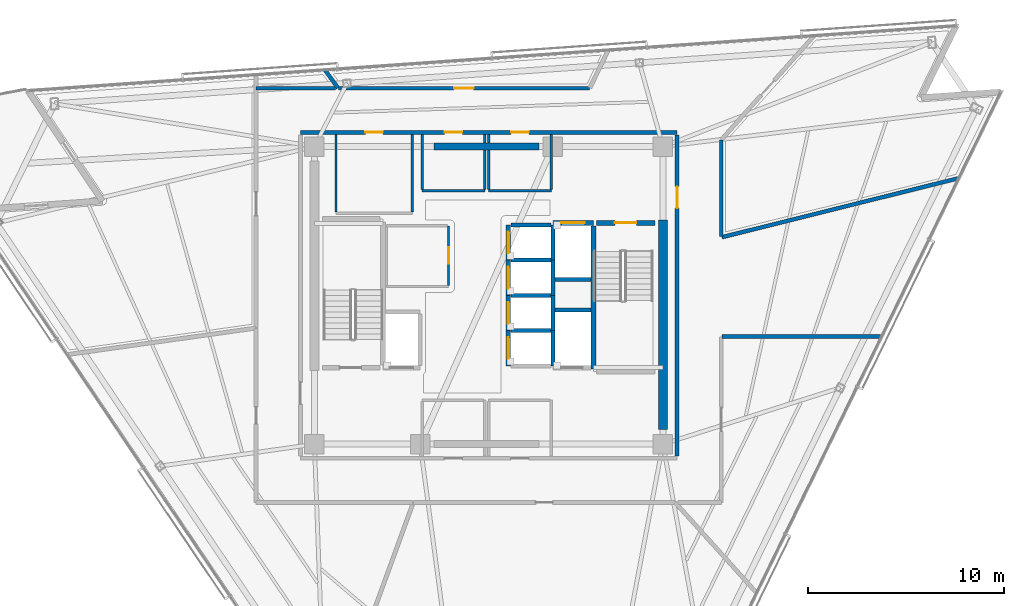
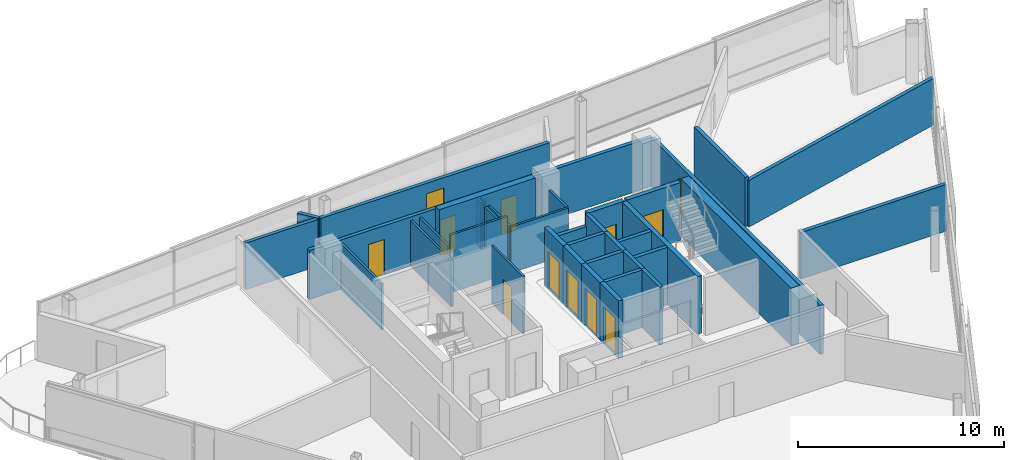
# One storey, part 10 of 16: 38 walls, 12 doors, 12 openings.
"""IFC4 building model written with IfcOpenShell, lengths in metres."""

from ifc_helpers import new_model, si_unit, direction, frame, frame_2d, origin, place, context, subcontext, project, spatial, rectangle, extrude, material, layer, layer_set, type_object, element, fill, save


model = new_model("IFC4")

# Units and contexts
model_context = context("Model", 3, precision=1e-05, world=origin(), true_north=direction((0.0, 1.0)))
body_context = subcontext(model_context, "Body", "Model", "MODEL_VIEW")
ifc_project = project(units=[si_unit("LENGTHUNIT", "METRE"), si_unit("AREAUNIT", "SQUARE_METRE"), si_unit("VOLUMEUNIT", "CUBIC_METRE"), si_unit("PLANEANGLEUNIT", "RADIAN"), si_unit("MASSUNIT", "GRAM", prefix="KILO")], contexts=[model_context])

# Site, building, storey
site_placement = place(None, origin())
site = spatial("IfcSite", under=ifc_project, at=site_placement, CompositionType="ELEMENT")
building_placement = place(site_placement, origin())
building = spatial("IfcBuilding", under=site, at=building_placement, Name="Tharavind Bronze Gate", CompositionType="ELEMENT")
storey_placement = place(building_placement, frame((0.0, 0.0, 257.0)))
storey = spatial("IfcBuildingStorey", under=building, at=storey_placement, Name="L66", CompositionType="ELEMENT", Elevation=257.0)

# Wall, openings, doors
ifc_material_1 = material(Name="Aerated Concrete Block", Category="concrete")
ifc_layer_1 = layer(ifc_material_1, 0.199951171875)
ifc_layer_set_1 = layer_set([ifc_layer_1], Name="Aerated Concrete Block")
wall_type_1 = type_object("IfcWallType", Name="FIRE RATED PARTITION 200", PredefinedType="PARTITIONING", material=ifc_layer_set_1)
wall_1_placement = place(storey_placement, frame((9.6201171875, 8.320068359375, 0.0), z_axis=(0.0, 0.0, 1.0), x_axis=(-1.0, 0.0, 0.0)))
wall_1 = element("IfcWall", 1, at=wall_1_placement, inside=storey, type_object=wall_type_1, Name="L66 north core corridor wall", PredefinedType="PARTITIONING", context=body_context, shape_type="SweptSolid", body=[
    extrude(rectangle(XDim=19.240234375, YDim=0.199951171875, at=frame_2d((9.6201171875, 0.0))), origin(), (0.0, 0.0, 1.0), 2.9150390625),
])
opening_1_placement = place(wall_1_placement, frame((10.969970703125, 0.0, 0.0)))
opening_1 = element("IfcOpeningElement", 2, at=opening_1_placement, cuts=wall_1, Name="Opening ID07", PredefinedType="OPENING", context=body_context, shape_type="SweptSolid", body=[
    extrude(rectangle(XDim=0.89990234375, YDim=2.10009765625, at=frame_2d((0.449951171875, 1.050048828125))), frame((0.0, 0.11009765625, 0.0), z_axis=(0.0, -1.0, 0.0), x_axis=(1.0, 0.0, 0.0)), (0.0, 0.0, 1.0), 0.219951171875),
])
opening_2_placement = place(wall_1_placement, frame((7.570068359375, 0.0, 0.0)))
opening_2 = element("IfcOpeningElement", 3, at=opening_2_placement, cuts=wall_1, Name="Opening ID07", PredefinedType="OPENING", context=body_context, shape_type="SweptSolid", body=[
    extrude(rectangle(XDim=0.89990234375, YDim=2.10009765625, at=frame_2d((0.449951171875, 1.050048828125))), frame((0.0, 0.11009765625, 0.0), z_axis=(0.0, -1.0, 0.0), x_axis=(1.0, 0.0, 0.0)), (0.0, 0.0, 1.0), 0.219951171875),
])
opening_3_placement = place(wall_1_placement, frame((15.02001953125, 0.0, 0.0)))
opening_3 = element("IfcOpeningElement", 4, at=opening_3_placement, cuts=wall_1, Name="Opening ID07", PredefinedType="OPENING", context=body_context, shape_type="SweptSolid", body=[
    extrude(rectangle(XDim=0.89990234375, YDim=2.10009765625, at=frame_2d((0.449951171875, 1.050048828125))), frame((0.0, 0.11009765625, 0.0), z_axis=(0.0, -1.0, 0.0), x_axis=(1.0, 0.0, 0.0)), (0.0, 0.0, 1.0), 0.219951171875),
])
ifc_material_2 = material(Name="Galvanised Fire Steel", Category="steel")
door_type_1 = type_object("IfcDoorType", Name="PLANT AND RISER FIRE DOOR 900X2100", OperationType="SINGLE_SWING_LEFT", PredefinedType="DOOR", material=ifc_material_2)
door_1_placement = place(opening_1_placement, frame((0.89990234375, 0.0, 0.0), z_axis=(0.0, 0.0, 1.0), x_axis=(-1.0, 0.0, 0.0)))
door_1 = element("IfcDoor", 5, at=door_1_placement, inside=storey, type_object=door_type_1, Name="L66 Core Telemetry Room fire door", OperationType="SINGLE_SWING_LEFT", OverallHeight=2.10009765625, OverallWidth=0.89990234375, PredefinedType="DOOR", context=body_context, shape_type="SweptSolid", body=[
    extrude(rectangle(XDim=0.89990234375, YDim=2.10009765625, at=frame_2d((0.449951171875, 1.050048828125))), frame((0.0, 0.02490234375, 0.0), z_axis=(0.0, -1.0, 0.0), x_axis=(1.0, 0.0, 0.0)), (0.0, 0.0, 1.0), 0.050048828125),
])
fill(opening_1, door_1)
door_2_placement = place(opening_2_placement, frame((0.89990234375, 0.0, 0.0), z_axis=(0.0, 0.0, 1.0), x_axis=(-1.0, 0.0, 0.0)))
door_2 = element("IfcDoor", 6, at=door_2_placement, inside=storey, type_object=door_type_1, Name="L66 Core Battery Room fire door", OperationType="SINGLE_SWING_LEFT", OverallHeight=2.10009765625, OverallWidth=0.89990234375, PredefinedType="DOOR", context=body_context, shape_type="SweptSolid", body=[
    extrude(rectangle(XDim=0.89990234375, YDim=2.10009765625, at=frame_2d((0.449951171875, 1.050048828125))), frame((0.0, 0.02490234375, 0.0), z_axis=(0.0, -1.0, 0.0), x_axis=(1.0, 0.0, 0.0)), (0.0, 0.0, 1.0), 0.050048828125),
])
fill(opening_2, door_2)
door_3_placement = place(opening_3_placement, frame((0.89990234375, 0.0, 0.0), z_axis=(0.0, 0.0, 1.0), x_axis=(-1.0, 0.0, 0.0)))
door_3 = element("IfcDoor", 7, at=door_3_placement, inside=storey, type_object=door_type_1, Name="L66 Electrical Switch Room fire door", OperationType="SINGLE_SWING_LEFT", OverallHeight=2.10009765625, OverallWidth=0.89990234375, PredefinedType="DOOR", context=body_context, shape_type="SweptSolid", body=[
    extrude(rectangle(XDim=0.89990234375, YDim=2.10009765625, at=frame_2d((0.449951171875, 1.050048828125))), frame((0.0, 0.02490234375, 0.0), z_axis=(0.0, -1.0, 0.0), x_axis=(1.0, 0.0, 0.0)), (0.0, 0.0, 1.0), 0.050048828125),
])
fill(opening_3, door_3)

# Wall, opening, door
wall_2_placement = place(storey_placement, frame((9.6201171875, -8.199951171875, 0.0), z_axis=(0.0, 0.0, 1.0), x_axis=(0.0, 1.0, 0.0)))
wall_2 = element("IfcWall", 8, at=wall_2_placement, inside=storey, type_object=wall_type_1, Name="L66 east core corridor wall", PredefinedType="PARTITIONING", context=body_context, shape_type="SweptSolid", body=[
    extrude(rectangle(XDim=16.39990234375, YDim=0.199951171875, at=frame_2d((8.199951171875, 0.0))), origin(), (0.0, 0.0, 1.0), 2.9150390625),
])
opening_4_placement = place(wall_2_placement, frame((12.64990234375, 0.0, 0.0)))
opening_4 = element("IfcOpeningElement", 9, at=opening_4_placement, cuts=wall_2, Name="Opening ID01", PredefinedType="OPENING", context=body_context, shape_type="SweptSolid", body=[
    extrude(rectangle(XDim=1.10009765625, YDim=2.14990234375, at=frame_2d((0.550048828125, 1.074951171875))), frame((0.0, 0.11009765625, 0.0), z_axis=(0.0, -1.0, 0.0), x_axis=(1.0, 0.0, 0.0)), (0.0, 0.0, 1.0), 0.219951171875),
])
ifc_material_3 = material(Name="Fire-Rated Steel", Category="steel")
door_type_2 = type_object("IfcDoorType", Name="STAIR CORE FIRE DOOR 1100X2150", OperationType="SINGLE_SWING_LEFT", PredefinedType="DOOR", material=ifc_material_3)
door_4_placement = place(opening_4_placement, frame((1.10009765625, 0.0, 0.0), z_axis=(0.0, 0.0, 1.0), x_axis=(-1.0, 0.0, 0.0)))
door_4 = element("IfcDoor", 10, at=door_4_placement, inside=storey, type_object=door_type_2, Name="L66 north east stair lobby fire door", OperationType="SINGLE_SWING_LEFT", OverallHeight=2.14990234375, OverallWidth=1.10009765625, PredefinedType="DOOR", context=body_context, shape_type="SweptSolid", body=[
    extrude(rectangle(XDim=1.10009765625, YDim=2.14990234375, at=frame_2d((0.550048828125, 1.074951171875))), frame((0.0, 0.02490234375, 0.0), z_axis=(0.0, -1.0, 0.0), x_axis=(1.0, 0.0, 0.0)), (0.0, 0.0, 1.0), 0.050048828125),
])
fill(opening_4, door_4)

# Walls
wall_3_placement = place(storey_placement, frame((23.99658203125, 5.98291015625, 0.0), z_axis=(0.0, 0.0, 1.0), x_axis=(-0.970297953696, -0.24191296173, 0.0)))
element("IfcWall", 11, at=wall_3_placement, inside=storey, type_object=wall_type_1, Name="L66 Global Headquarters Open Office partition", PredefinedType="PARTITIONING", context=body_context, shape_type="SweptSolid", body=[
    extrude(rectangle(XDim=12.45556640625, YDim=0.199951171875, at=frame_2d((6.227783203125, 0.0))), origin(), (0.0, 0.0, 1.0), 2.764892578125),
])
wall_4_placement = place(storey_placement, frame((11.8798828125, 2.993896484375, 0.0), z_axis=(0.0, 0.0, 1.0), x_axis=(0.0, 1.0, 0.0)))
element("IfcWall", 12, at=wall_4_placement, inside=storey, type_object=wall_type_1, Name="L66 Global Headquarters Open Office partition", PredefinedType="PARTITIONING", context=body_context, shape_type="SweptSolid", body=[
    extrude(rectangle(XDim=4.9423828125, YDim=0.199951171875, at=frame_2d((2.47119140625, 0.0))), origin(), (0.0, 0.0, 1.0), 2.9150390625),
])

# Wall, opening, door
wall_5_placement = place(storey_placement, frame((5.14453125, 10.580078125, 0.0), z_axis=(0.0, 0.0, 1.0), x_axis=(-1.0, 0.0, 0.0)))
wall_5 = element("IfcWall", 13, at=wall_5_placement, inside=storey, type_object=wall_type_1, Name="L66 Executive Strategy Office partition", PredefinedType="PARTITIONING", context=body_context, shape_type="SweptSolid", body=[
    extrude(rectangle(XDim=12.818603515625, YDim=0.199951171875, at=frame_2d((6.4091796875, 0.0))), origin(), (0.0, 0.0, 1.0), 2.764892578125),
])
opening_5_placement = place(wall_5_placement, frame((5.908935546875, 0.0, 0.0)))
opening_5 = element("IfcOpeningElement", 14, at=opening_5_placement, cuts=wall_5, Name="Opening ID04", PredefinedType="OPENING", context=body_context, shape_type="SweptSolid", body=[
    extrude(rectangle(XDim=1.0, YDim=2.14990234375, at=frame_2d((0.5, 1.074951171875))), frame((0.0, 0.11009765625, 0.0), z_axis=(0.0, -1.0, 0.0), x_axis=(1.0, 0.0, 0.0)), (0.0, 0.0, 1.0), 0.219951171875),
])
ifc_material_4 = material(Name="Bronze Framed Acoustic Timber", Category="wood")
door_type_3 = type_object("IfcDoorType", Name="OFFICE TENANCY DOOR 1000X2150", OperationType="SINGLE_SWING_RIGHT", PredefinedType="DOOR", material=ifc_material_4)
door_5_placement = place(opening_5_placement, origin())
door_5 = element("IfcDoor", 15, at=door_5_placement, inside=storey, type_object=door_type_3, Name="L66 Executive Strategy Office door", OperationType="SINGLE_SWING_RIGHT", OverallHeight=2.14990234375, OverallWidth=1.0, PredefinedType="DOOR", context=body_context, shape_type="SweptSolid", body=[
    extrude(rectangle(XDim=1.0, YDim=2.14990234375, at=frame_2d((0.5, 1.074951171875))), frame((0.0, 0.02490234375, 0.0), z_axis=(0.0, -1.0, 0.0), x_axis=(1.0, 0.0, 0.0)), (0.0, 0.0, 1.0), 0.050048828125),
])
fill(opening_5, door_5)

# Walls
wall_6_placement = place(storey_placement, frame((-7.6943359375, 10.59033203125, 0.0), z_axis=(0.0, 0.0, 1.0), x_axis=(-0.587825586486, 0.808987688332, 0.0)))
element("IfcWall", 16, at=wall_6_placement, inside=storey, type_object=wall_type_1, Name="L66 Executive Strategy Office partition", PredefinedType="PARTITIONING", context=body_context, shape_type="SweptSolid", body=[
    extrude(rectangle(XDim=1.132568359375, YDim=0.199951171875, at=frame_2d((0.56640625, 0.0))), origin(), (0.0, 0.0, 1.0), 2.764892578125),
])
wall_7_placement = place(storey_placement, frame((-7.816650390625, 10.580078125, 0.0), z_axis=(0.0, 0.0, 1.0), x_axis=(-1.0, 0.0, 0.0)))
element("IfcWall", 17, at=wall_7_placement, inside=storey, type_object=wall_type_1, Name="L66 Board Briefing Room partition", PredefinedType="PARTITIONING", context=body_context, shape_type="SweptSolid", body=[
    extrude(rectangle(XDim=4.062744140625, YDim=0.199951171875, at=frame_2d((2.03125, 0.0))), origin(), (0.0, 0.0, 1.0), 2.764892578125),
])
wall_8_placement = place(storey_placement, frame((11.905029296875, -2.10009765625, 0.0), z_axis=(0.0, 0.0, 1.0), x_axis=(1.0, 0.0, 0.0)))
element("IfcWall", 18, at=wall_8_placement, inside=storey, type_object=wall_type_1, Name="L66 Executive Lounge partition", PredefinedType="PARTITIONING", context=body_context, shape_type="SweptSolid", body=[
    extrude(rectangle(XDim=8.1591796875, YDim=0.199951171875, at=frame_2d((4.07958984375, 0.0))), origin(), (0.0, 0.0, 1.0), 2.764892578125),
])

# Wall, opening, door
ifc_material_5 = material(Name="Metal Stud Gypsum Partition", Category="gypsum")
ifc_layer_2 = layer(ifc_material_5, 0.1201171875)
ifc_layer_set_2 = layer_set([ifc_layer_2], Name="Metal Stud Gypsum Partition")
wall_type_2 = type_object("IfcWallType", Name="INTERIOR PARTITION WALL 120", PredefinedType="PARTITIONING", material=ifc_layer_set_2)
wall_9_placement = place(storey_placement, frame((-2.050048828125, 0.514892578125, 0.0), z_axis=(0.0, 0.0, 1.0), x_axis=(0.0, 1.0, 0.0)))
wall_9 = element("IfcWall", 19, at=wall_9_placement, inside=storey, type_object=wall_type_2, Name="L66 Electrical & Telecom Store partition 2", PredefinedType="PARTITIONING", context=body_context, shape_type="SweptSolid", body=[
    extrude(rectangle(XDim=3.03515625, YDim=0.1201171875, at=frame_2d((1.517578125, 0.0))), origin(), (0.0, 0.0, 1.0), 3.419921875),
])
opening_6_placement = place(wall_9_placement, frame((1.092041015625, 0.0, 0.0)))
opening_6 = element("IfcOpeningElement", 20, at=opening_6_placement, cuts=wall_9, Name="Opening ID06", PredefinedType="OPENING", context=body_context, shape_type="SweptSolid", body=[
    extrude(rectangle(XDim=0.85009765625, YDim=2.10009765625, at=frame_2d((0.425048828125, 1.050048828125))), frame((0.0, 0.07005859375, 0.0), z_axis=(0.0, -1.0, 0.0), x_axis=(1.0, 0.0, 0.0)), (0.0, 0.0, 1.0), 0.1401171875),
])
ifc_material_6 = material(Name="Moisture-Resistant Timber", Category="wood")
door_type_4 = type_object("IfcDoorType", Name="BATHROOM PRIVACY DOOR 850X2100", OperationType="SINGLE_SWING_RIGHT", PredefinedType="DOOR", material=ifc_material_6)
door_6_placement = place(opening_6_placement, frame((0.85009765625, 0.0, 0.0), z_axis=(0.0, 0.0, 1.0), x_axis=(-1.0, 0.0, 0.0)))
door_6 = element("IfcDoor", 21, at=door_6_placement, inside=storey, type_object=door_type_4, Name="L66 Electrical & Telecom Store door", OperationType="SINGLE_SWING_RIGHT", OverallHeight=2.10009765625, OverallWidth=0.85009765625, PredefinedType="DOOR", context=body_context, shape_type="SweptSolid", body=[
    extrude(rectangle(XDim=0.85009765625, YDim=2.10009765625, at=frame_2d((0.425048828125, 1.050048828125))), frame((0.0, 0.02490234375, 0.0), z_axis=(0.0, -1.0, 0.0), x_axis=(1.0, 0.0, 0.0)), (0.0, 0.0, 1.0), 0.050048828125),
])
fill(opening_6, door_6)

# Walls
wall_10_placement = place(storey_placement, frame((-3.39990234375, 5.35009765625, 0.0), z_axis=(0.0, 0.0, 1.0), x_axis=(1.0, 0.0, 0.0)))
element("IfcWall", 22, at=wall_10_placement, inside=storey, type_object=wall_type_2, Name="L66 Core Telemetry Room partition 1", PredefinedType="PARTITIONING", context=body_context, shape_type="SweptSolid", body=[
    extrude(rectangle(XDim=3.199951171875, YDim=0.1201171875, at=frame_2d((1.60009765625, 0.0))), origin(), (0.0, 0.0, 1.0), 3.419921875),
])
wall_11_placement = place(storey_placement, frame((-0.199951171875, 5.4150390625, 0.0), z_axis=(0.0, 0.0, 1.0), x_axis=(0.0, 1.0, 0.0)))
element("IfcWall", 23, at=wall_11_placement, inside=storey, type_object=wall_type_2, Name="L66 Core Telemetry Room partition 2", PredefinedType="PARTITIONING", context=body_context, shape_type="SweptSolid", body=[
    extrude(rectangle(XDim=2.0048828125, YDim=0.1201171875, at=frame_2d((1.00244140625, 0.0))), origin(), (0.0, 0.0, 1.0), 2.715087890625),
])
wall_12_placement = place(storey_placement, frame((-0.199951171875, 7.780029296875, 0.0), z_axis=(0.0, 0.0, 1.0), x_axis=(0.0, 1.0, 0.0)))
element("IfcWall", 24, at=wall_12_placement, inside=storey, type_object=wall_type_2, Name="L66 Core Telemetry Room partition 2", PredefinedType="PARTITIONING", context=body_context, shape_type="SweptSolid", body=[
    extrude(rectangle(XDim=0.43505859375, YDim=0.1201171875, at=frame_2d((0.217529296875, 0.0))), origin(), (0.0, 0.0, 1.0), 2.715087890625),
])
wall_13_placement = place(storey_placement, frame((-3.39990234375, 8.215087890625, 0.0), z_axis=(0.0, 0.0, 1.0), x_axis=(0.0, -1.0, 0.0)))
element("IfcWall", 25, at=wall_13_placement, inside=storey, type_object=wall_type_2, Name="L66 Core Telemetry Room partition 4", PredefinedType="PARTITIONING", context=body_context, shape_type="SweptSolid", body=[
    extrude(rectangle(XDim=2.800048828125, YDim=0.1201171875, at=frame_2d((1.39990234375, 0.0))), origin(), (0.0, 0.0, 1.0), 2.715087890625),
])
wall_14_placement = place(storey_placement, frame((0.0, 5.35009765625, 0.0), z_axis=(0.0, 0.0, 1.0), x_axis=(1.0, 0.0, 0.0)))
element("IfcWall", 26, at=wall_14_placement, inside=storey, type_object=wall_type_2, Name="L66 Core Battery Room partition 1", PredefinedType="PARTITIONING", context=body_context, shape_type="SweptSolid", body=[
    extrude(rectangle(XDim=3.199951171875, YDim=0.1201171875, at=frame_2d((1.60009765625, 0.0))), origin(), (0.0, 0.0, 1.0), 2.715087890625),
])
wall_15_placement = place(storey_placement, frame((3.199951171875, 5.4150390625, 0.0), z_axis=(0.0, 0.0, 1.0), x_axis=(0.0, 1.0, 0.0)))
element("IfcWall", 27, at=wall_15_placement, inside=storey, type_object=wall_type_2, Name="L66 Core Battery Room partition 2", PredefinedType="PARTITIONING", context=body_context, shape_type="SweptSolid", body=[
    extrude(rectangle(XDim=2.800048828125, YDim=0.1201171875, at=frame_2d((1.39990234375, 0.0))), origin(), (0.0, 0.0, 1.0), 2.715087890625),
])
wall_16_placement = place(storey_placement, frame((0.0, 8.215087890625, 0.0), z_axis=(0.0, 0.0, 1.0), x_axis=(0.0, -1.0, 0.0)))
element("IfcWall", 28, at=wall_16_placement, inside=storey, type_object=wall_type_2, Name="L66 Core Battery Room partition 4", PredefinedType="PARTITIONING", context=body_context, shape_type="SweptSolid", body=[
    extrude(rectangle(XDim=0.43505859375, YDim=0.1201171875, at=frame_2d((0.217529296875, 0.0))), origin(), (0.0, 0.0, 1.0), 2.715087890625),
])
wall_17_placement = place(storey_placement, frame((0.0, 7.419921875, 0.0), z_axis=(0.0, 0.0, 1.0), x_axis=(0.0, -1.0, 0.0)))
element("IfcWall", 29, at=wall_17_placement, inside=storey, type_object=wall_type_2, Name="L66 Core Battery Room partition 4", PredefinedType="PARTITIONING", context=body_context, shape_type="SweptSolid", body=[
    extrude(rectangle(XDim=2.0048828125, YDim=0.1201171875, at=frame_2d((1.00244140625, 0.0))), origin(), (0.0, 0.0, 1.0), 2.715087890625),
])
for number, where, z_axis, x_axis, name in (
    (30, (-3.89990234375, 4.264892578125, 0.0), (0.0, 0.0, 1.0), (0.0, 1.0, 0.0), "L66 Electrical Switch Room partition 2"),
    (31, (-7.800048828125, 8.215087890625, 0.0), (0.0, 0.0, 1.0), (0.0, -1.0, 0.0), "L66 Electrical Switch Room partition 4"),
):
    element("IfcWall", number, at=place(storey_placement, frame(where, z_axis=z_axis, x_axis=x_axis)), inside=storey, type_object=wall_type_2, Name=name, PredefinedType="PARTITIONING", context=body_context, shape_type="SweptSolid", body=[
        extrude(rectangle(XDim=3.9501953125, YDim=0.1201171875, at=frame_2d((1.97509765625, 0.0))), origin(), (0.0, 0.0, 1.0), 2.715087890625),
    ])
ifc_material_7 = material(Name="Concrete C50/60", Category="concrete")
ifc_layer_3 = layer(ifc_material_7, 0.25)
ifc_layer_set_3 = layer_set([ifc_layer_3], Name="Concrete C50/60")
wall_type_3 = type_object("IfcWallType", Name="RC CORE SHEAR WALL 250", PredefinedType="SHEAR", material=ifc_layer_set_3)
wall_18_placement = place(storey_placement, frame((5.35009765625, -3.75, 0.0), z_axis=(0.0, 0.0, 1.0), x_axis=(0.0, 1.0, 0.0)))
element("IfcWall", 32, at=wall_18_placement, inside=storey, type_object=wall_type_3, Name="L66 ST2 shaft west wall", PredefinedType="SHEAR", context=body_context, shape_type="SweptSolid", body=[
    extrude(rectangle(XDim=7.300048828125, YDim=0.25, at=frame_2d((3.64990234375, 0.0))), origin(), (0.0, 0.0, 1.0), 3.419921875),
])

# Wall, opening, door
wall_19_placement = place(storey_placement, frame((5.5, 3.699951171875, 0.0), z_axis=(0.0, 0.0, 1.0), x_axis=(1.0, 0.0, 0.0)))
wall_19 = element("IfcWall", 33, at=wall_19_placement, inside=storey, type_object=wall_type_3, Name="L66 ST2 shaft north wall", PredefinedType="SHEAR", context=body_context, shape_type="SweptSolid", body=[
    extrude(rectangle(XDim=3.0, YDim=0.25, at=frame_2d((1.5, 0.0))), origin(), (0.0, 0.0, 1.0), 3.419921875),
])
opening_7_placement = place(wall_19_placement, frame((0.949951171875, 0.0, 0.0)))
opening_7 = element("IfcOpeningElement", 34, at=opening_7_placement, cuts=wall_19, Name="Opening ID01", PredefinedType="OPENING", context=body_context, shape_type="SweptSolid", body=[
    extrude(rectangle(XDim=1.10009765625, YDim=2.14990234375, at=frame_2d((0.550048828125, 1.074951171875))), frame((0.0, 0.135, 0.0), z_axis=(0.0, -1.0, 0.0), x_axis=(1.0, 0.0, 0.0)), (0.0, 0.0, 1.0), 0.27),
])
door_7_placement = place(opening_7_placement, frame((1.10009765625, 0.0, 0.0), z_axis=(0.0, 0.0, 1.0), x_axis=(-1.0, 0.0, 0.0)))
door_7 = element("IfcDoor", 35, at=door_7_placement, inside=storey, type_object=door_type_2, Name="L66 exit stair ST2 fire door", OperationType="SINGLE_SWING_LEFT", OverallHeight=2.14990234375, OverallWidth=1.10009765625, PredefinedType="DOOR", context=body_context, shape_type="SweptSolid", body=[
    extrude(rectangle(XDim=1.10009765625, YDim=2.14990234375, at=frame_2d((0.550048828125, 1.074951171875))), frame((0.0, 0.02490234375, 0.0), z_axis=(0.0, -1.0, 0.0), x_axis=(1.0, 0.0, 0.0)), (0.0, 0.0, 1.0), 0.050048828125),
])
fill(opening_7, door_7)

wall_20_placement = place(storey_placement, frame((1.0, -3.60009765625, 0.0), z_axis=(0.0, 0.0, 1.0), x_axis=(0.0, 1.0, 0.0)))
wall_20 = element("IfcWall", 36, at=wall_20_placement, inside=storey, type_object=wall_type_3, Name="L66 lift PL9 shaft front wall", PredefinedType="SHEAR", context=body_context, shape_type="SweptSolid", body=[
    extrude(rectangle(XDim=1.800048828125, YDim=0.25, at=frame_2d((0.89990234375, 0.0))), origin(), (0.0, 0.0, 1.0), 3.419921875),
])
opening_8_placement = place(wall_20_placement, frame((0.35009765625, 0.0, 0.0)))
opening_8 = element("IfcOpeningElement", 37, at=opening_8_placement, cuts=wall_20, Name="Opening LD01", PredefinedType="OPENING", context=body_context, shape_type="SweptSolid", body=[
    extrude(rectangle(XDim=1.10009765625, YDim=2.199951171875, at=frame_2d((0.550048828125, 1.10009765625))), frame((0.0, 0.135, 0.0), z_axis=(0.0, -1.0, 0.0), x_axis=(1.0, 0.0, 0.0)), (0.0, 0.0, 1.0), 0.27),
])
ifc_material_8 = material(Name="Brushed Bronze Stainless Steel", Category="steel")
door_type_5 = type_object("IfcDoorType", Name="LIFT LANDING SLIDING DOOR 1100X2200", OperationType="SLIDING_TO_LEFT", PredefinedType="DOOR", material=ifc_material_8)
door_8_placement = place(opening_8_placement, origin())
door_8 = element("IfcDoor", 38, at=door_8_placement, inside=storey, type_object=door_type_5, Name="L66 lift PL9 sliding landing door", OperationType="SLIDING_TO_LEFT", OverallHeight=2.199951171875, OverallWidth=1.10009765625, PredefinedType="DOOR", context=body_context, shape_type="SweptSolid", body=[
    extrude(rectangle(XDim=1.10009765625, YDim=2.199951171875, at=frame_2d((0.550048828125, 1.10009765625))), frame((0.0, 0.02490234375, 0.0), z_axis=(0.0, -1.0, 0.0), x_axis=(1.0, 0.0, 0.0)), (0.0, 0.0, 1.0), 0.050048828125),
])
fill(opening_8, door_8)

wall_21_placement = place(storey_placement, frame((1.0, -1.800048828125, 0.0), z_axis=(0.0, 0.0, 1.0), x_axis=(0.0, 1.0, 0.0)))
wall_21 = element("IfcWall", 39, at=wall_21_placement, inside=storey, type_object=wall_type_3, Name="L66 lift PL10 shaft front wall", PredefinedType="SHEAR", context=body_context, shape_type="SweptSolid", body=[
    extrude(rectangle(XDim=1.800048828125, YDim=0.25, at=frame_2d((0.89990234375, 0.0))), origin(), (0.0, 0.0, 1.0), 3.419921875),
])
opening_9_placement = place(wall_21_placement, frame((0.35009765625, 0.0, 0.0)))
opening_9 = element("IfcOpeningElement", 40, at=opening_9_placement, cuts=wall_21, Name="Opening LD01", PredefinedType="OPENING", context=body_context, shape_type="SweptSolid", body=[
    extrude(rectangle(XDim=1.10009765625, YDim=2.199951171875, at=frame_2d((0.550048828125, 1.10009765625))), frame((0.0, 0.135, 0.0), z_axis=(0.0, -1.0, 0.0), x_axis=(1.0, 0.0, 0.0)), (0.0, 0.0, 1.0), 0.27),
])
door_9_placement = place(opening_9_placement, origin())
door_9 = element("IfcDoor", 41, at=door_9_placement, inside=storey, type_object=door_type_5, Name="L66 lift PL10 sliding landing door", OperationType="SLIDING_TO_LEFT", OverallHeight=2.199951171875, OverallWidth=1.10009765625, PredefinedType="DOOR", context=body_context, shape_type="SweptSolid", body=[
    extrude(rectangle(XDim=1.10009765625, YDim=2.199951171875, at=frame_2d((0.550048828125, 1.10009765625))), frame((0.0, 0.02490234375, 0.0), z_axis=(0.0, -1.0, 0.0), x_axis=(1.0, 0.0, 0.0)), (0.0, 0.0, 1.0), 0.050048828125),
])
fill(opening_9, door_9)

wall_22_placement = place(storey_placement, frame((1.0, 0.0, 0.0), z_axis=(0.0, 0.0, 1.0), x_axis=(0.0, 1.0, 0.0)))
wall_22 = element("IfcWall", 42, at=wall_22_placement, inside=storey, type_object=wall_type_3, Name="L66 lift PL11 shaft front wall", PredefinedType="SHEAR", context=body_context, shape_type="SweptSolid", body=[
    extrude(rectangle(XDim=1.800048828125, YDim=0.25, at=frame_2d((0.89990234375, 0.0))), origin(), (0.0, 0.0, 1.0), 3.419921875),
])
opening_10_placement = place(wall_22_placement, frame((0.35009765625, 0.0, 0.0)))
opening_10 = element("IfcOpeningElement", 43, at=opening_10_placement, cuts=wall_22, Name="Opening LD01", PredefinedType="OPENING", context=body_context, shape_type="SweptSolid", body=[
    extrude(rectangle(XDim=1.10009765625, YDim=2.199951171875, at=frame_2d((0.550048828125, 1.10009765625))), frame((0.0, 0.135, 0.0), z_axis=(0.0, -1.0, 0.0), x_axis=(1.0, 0.0, 0.0)), (0.0, 0.0, 1.0), 0.27),
])
door_10_placement = place(opening_10_placement, origin())
door_10 = element("IfcDoor", 44, at=door_10_placement, inside=storey, type_object=door_type_5, Name="L66 lift PL11 sliding landing door", OperationType="SLIDING_TO_LEFT", OverallHeight=2.199951171875, OverallWidth=1.10009765625, PredefinedType="DOOR", context=body_context, shape_type="SweptSolid", body=[
    extrude(rectangle(XDim=1.10009765625, YDim=2.199951171875, at=frame_2d((0.550048828125, 1.10009765625))), frame((0.0, 0.02490234375, 0.0), z_axis=(0.0, -1.0, 0.0), x_axis=(1.0, 0.0, 0.0)), (0.0, 0.0, 1.0), 0.050048828125),
])
fill(opening_10, door_10)

wall_23_placement = place(storey_placement, frame((1.0, 1.800048828125, 0.0), z_axis=(0.0, 0.0, 1.0), x_axis=(0.0, 1.0, 0.0)))
wall_23 = element("IfcWall", 45, at=wall_23_placement, inside=storey, type_object=wall_type_3, Name="L66 lift PL12 shaft front wall", PredefinedType="SHEAR", context=body_context, shape_type="SweptSolid", body=[
    extrude(rectangle(XDim=1.800048828125, YDim=0.25, at=frame_2d((0.89990234375, 0.0))), origin(), (0.0, 0.0, 1.0), 3.419921875),
])
opening_11_placement = place(wall_23_placement, frame((0.35009765625, 0.0, 0.0)))
opening_11 = element("IfcOpeningElement", 46, at=opening_11_placement, cuts=wall_23, Name="Opening LD01", PredefinedType="OPENING", context=body_context, shape_type="SweptSolid", body=[
    extrude(rectangle(XDim=1.10009765625, YDim=2.199951171875, at=frame_2d((0.550048828125, 1.10009765625))), frame((0.0, 0.135, 0.0), z_axis=(0.0, -1.0, 0.0), x_axis=(1.0, 0.0, 0.0)), (0.0, 0.0, 1.0), 0.27),
])
door_11_placement = place(opening_11_placement, origin())
door_11 = element("IfcDoor", 47, at=door_11_placement, inside=storey, type_object=door_type_5, Name="L66 lift PL12 sliding landing door", OperationType="SLIDING_TO_LEFT", OverallHeight=2.199951171875, OverallWidth=1.10009765625, PredefinedType="DOOR", context=body_context, shape_type="SweptSolid", body=[
    extrude(rectangle(XDim=1.10009765625, YDim=2.199951171875, at=frame_2d((0.550048828125, 1.10009765625))), frame((0.0, 0.02490234375, 0.0), z_axis=(0.0, -1.0, 0.0), x_axis=(1.0, 0.0, 0.0)), (0.0, 0.0, 1.0), 0.050048828125),
])
fill(opening_11, door_11)

wall_24_placement = place(storey_placement, frame((3.280029296875, 3.699951171875, 0.0), z_axis=(0.0, 0.0, 1.0), x_axis=(1.0, 0.0, 0.0)))
wall_24 = element("IfcWall", 48, at=wall_24_placement, inside=storey, type_object=wall_type_3, Name="L66 lift FFL2 shaft front wall", PredefinedType="SHEAR", context=body_context, shape_type="SweptSolid", body=[
    extrude(rectangle(XDim=2.070068359375, YDim=0.25, at=frame_2d((1.03515625, 0.0))), origin(), (0.0, 0.0, 1.0), 3.419921875),
])
opening_12_placement = place(wall_24_placement, frame((0.43505859375, 0.0, 0.0)))
opening_12 = element("IfcOpeningElement", 49, at=opening_12_placement, cuts=wall_24, Name="Opening LD02", PredefinedType="OPENING", context=body_context, shape_type="SweptSolid", body=[
    extrude(rectangle(XDim=1.199951171875, YDim=2.199951171875, at=frame_2d((0.60009765625, 1.10009765625))), frame((0.0, 0.135, 0.0), z_axis=(0.0, -1.0, 0.0), x_axis=(1.0, 0.0, 0.0)), (0.0, 0.0, 1.0), 0.27),
])
ifc_material_9 = material(Name="Brushed Stainless Steel", Category="steel")
door_type_6 = type_object("IfcDoorType", Name="FIREFIGHTING LIFT LANDING DOOR 1200X2200", OperationType="SLIDING_TO_RIGHT", PredefinedType="DOOR", material=ifc_material_9)
door_12_placement = place(opening_12_placement, origin())
door_12 = element("IfcDoor", 50, at=door_12_placement, inside=storey, type_object=door_type_6, Name="L66 lift FFL2 sliding landing door", OperationType="SLIDING_TO_RIGHT", OverallHeight=2.199951171875, OverallWidth=1.199951171875, PredefinedType="DOOR", context=body_context, shape_type="SweptSolid", body=[
    extrude(rectangle(XDim=1.199951171875, YDim=2.199951171875, at=frame_2d((0.60009765625, 1.10009765625))), frame((0.0, 0.02490234375, 0.0), z_axis=(0.0, -1.0, 0.0), x_axis=(1.0, 0.0, 0.0)), (0.0, 0.0, 1.0), 0.050048828125),
])
fill(opening_12, door_12)

# Walls
ifc_layer_4 = layer(ifc_material_7, 0.35009765625)
ifc_layer_set_4 = layer_set([ifc_layer_4], Name="Concrete C50/60")
wall_type_4 = type_object("IfcWallType", Name="RC CORE SHEAR WALL 350", PredefinedType="SHEAR", material=ifc_layer_set_4)
wall_25_placement = place(storey_placement, frame((-2.800048828125, 7.60009765625, 0.0), z_axis=(0.0, 0.0, 1.0), x_axis=(1.0, 0.0, 0.0)))
element("IfcWall", 51, at=wall_25_placement, inside=storey, type_object=wall_type_4, Name="L66 north core shear wall", PredefinedType="SHEAR", context=body_context, shape_type="SweptSolid", body=[
    extrude(rectangle(XDim=5.380126953125, YDim=0.35009765625, at=frame_2d((2.68994140625, 0.0))), origin(), (0.0, 0.0, 1.0), 3.419921875),
])
ifc_material_10 = material(Name="Concrete C60/75", Category="concrete")
ifc_layer_5 = layer(ifc_material_10, 0.449951171875)
ifc_layer_set_5 = layer_set([ifc_layer_5], Name="Concrete C60/75")
wall_type_5 = type_object("IfcWallType", Name="RC CORE SHEAR WALL 450", PredefinedType="SHEAR", material=ifc_layer_set_5)
wall_26_placement = place(storey_placement, frame((8.89990234375, -6.85009765625, 0.0), z_axis=(0.0, 0.0, 1.0), x_axis=(0.0, 1.0, 0.0)))
element("IfcWall", 52, at=wall_26_placement, inside=storey, type_object=wall_type_5, Name="L66 east core shear wall", PredefinedType="SHEAR", context=body_context, shape_type="SweptSolid", body=[
    extrude(rectangle(XDim=10.7001953125, YDim=0.449951171875, at=frame_2d((5.35009765625, 0.0))), origin(), (0.0, 0.0, 1.0), 3.419921875),
])
ifc_material_11 = material(Name="Concrete C40/50", Category="concrete")
ifc_layer_6 = layer(ifc_material_11, 0.199951171875)
ifc_layer_set_6 = layer_set([ifc_layer_6], Name="Concrete C40/50")
wall_type_6 = type_object("IfcWallType", Name="SHAFT ENCLOSURE WALL 200", PredefinedType="PARTITIONING", material=ifc_layer_set_6)
wall_27_placement = place(storey_placement, frame((3.280029296875, -3.60009765625, 0.0), z_axis=(0.0, 0.0, 1.0), x_axis=(0.0, 1.0, 0.0)))
element("IfcWall", 53, at=wall_27_placement, inside=storey, type_object=wall_type_6, Name="L66 lift PL9 shaft E enclosure wall", PredefinedType="PARTITIONING", context=body_context, shape_type="SweptSolid", body=[
    extrude(rectangle(XDim=1.800048828125, YDim=0.199951171875, at=frame_2d((0.89990234375, 0.0))), origin(), (0.0, 0.0, 1.0), 3.419921875),
])
wall_28_placement = place(storey_placement, frame((1.1298828125, -1.800048828125, 0.0), z_axis=(0.0, 0.0, 1.0), x_axis=(1.0, 0.0, 0.0)))
element("IfcWall", 54, at=wall_28_placement, inside=storey, type_object=wall_type_6, Name="L66 lift PL9 shaft N enclosure wall", PredefinedType="PARTITIONING", context=body_context, shape_type="SweptSolid", body=[
    extrude(rectangle(XDim=2.045166015625, YDim=0.199951171875, at=frame_2d((1.0224609375, 0.0))), origin(), (0.0, 0.0, 1.0), 3.419921875),
])
wall_29_placement = place(storey_placement, frame((3.280029296875, -1.800048828125, 0.0), z_axis=(0.0, 0.0, 1.0), x_axis=(0.0, 1.0, 0.0)))
element("IfcWall", 55, at=wall_29_placement, inside=storey, type_object=wall_type_6, Name="L66 lift PL10 shaft E enclosure wall", PredefinedType="PARTITIONING", context=body_context, shape_type="SweptSolid", body=[
    extrude(rectangle(XDim=1.800048828125, YDim=0.199951171875, at=frame_2d((0.89990234375, 0.0))), origin(), (0.0, 0.0, 1.0), 3.419921875),
])
wall_30_placement = place(storey_placement, frame((1.1298828125, 0.0, 0.0), z_axis=(0.0, 0.0, 1.0), x_axis=(1.0, 0.0, 0.0)))
element("IfcWall", 56, at=wall_30_placement, inside=storey, type_object=wall_type_6, Name="L66 lift PL10 shaft N enclosure wall", PredefinedType="PARTITIONING", context=body_context, shape_type="SweptSolid", body=[
    extrude(rectangle(XDim=2.045166015625, YDim=0.199951171875, at=frame_2d((1.0224609375, 0.0))), origin(), (0.0, 0.0, 1.0), 3.419921875),
])
wall_31_placement = place(storey_placement, frame((3.280029296875, 0.0, 0.0), z_axis=(0.0, 0.0, 1.0), x_axis=(0.0, 1.0, 0.0)))
element("IfcWall", 57, at=wall_31_placement, inside=storey, type_object=wall_type_6, Name="L66 lift PL11 shaft E enclosure wall", PredefinedType="PARTITIONING", context=body_context, shape_type="SweptSolid", body=[
    extrude(rectangle(XDim=1.800048828125, YDim=0.199951171875, at=frame_2d((0.89990234375, 0.0))), origin(), (0.0, 0.0, 1.0), 3.419921875),
])
wall_32_placement = place(storey_placement, frame((1.1298828125, 1.800048828125, 0.0), z_axis=(0.0, 0.0, 1.0), x_axis=(1.0, 0.0, 0.0)))
element("IfcWall", 58, at=wall_32_placement, inside=storey, type_object=wall_type_6, Name="L66 lift PL11 shaft N enclosure wall", PredefinedType="PARTITIONING", context=body_context, shape_type="SweptSolid", body=[
    extrude(rectangle(XDim=2.045166015625, YDim=0.199951171875, at=frame_2d((1.0224609375, 0.0))), origin(), (0.0, 0.0, 1.0), 3.419921875),
])
wall_33_placement = place(storey_placement, frame((3.280029296875, 1.800048828125, 0.0), z_axis=(0.0, 0.0, 1.0), x_axis=(0.0, 1.0, 0.0)))
element("IfcWall", 59, at=wall_33_placement, inside=storey, type_object=wall_type_6, Name="L66 lift PL12 shaft E enclosure wall", PredefinedType="PARTITIONING", context=body_context, shape_type="SweptSolid", body=[
    extrude(rectangle(XDim=1.800048828125, YDim=0.199951171875, at=frame_2d((0.89990234375, 0.0))), origin(), (0.0, 0.0, 1.0), 3.419921875),
])
wall_34_placement = place(storey_placement, frame((1.1298828125, 3.60009765625, 0.0), z_axis=(0.0, 0.0, 1.0), x_axis=(1.0, 0.0, 0.0)))
element("IfcWall", 60, at=wall_34_placement, inside=storey, type_object=wall_type_6, Name="L66 lift PL12 shaft N enclosure wall", PredefinedType="PARTITIONING", context=body_context, shape_type="SweptSolid", body=[
    extrude(rectangle(XDim=2.045166015625, YDim=0.199951171875, at=frame_2d((1.0224609375, 0.0))), origin(), (0.0, 0.0, 1.0), 2.715087890625),
])
for number, where, z_axis, x_axis, name in (
    (61, (3.385009765625, 0.800048828125, 0.0), (0.0, 0.0, 1.0), (1.0, 0.0, 0.0), "L66 lift FFL2 shaft S enclosure wall"),
    (62, (3.385009765625, -0.75, 0.0), (0.0, 0.0, 1.0), (1.0, 0.0, 0.0), "L66 lift SVL1 shaft N enclosure wall"),
):
    element("IfcWall", number, at=place(storey_placement, frame(where, z_axis=z_axis, x_axis=x_axis)), inside=storey, type_object=wall_type_6, Name=name, PredefinedType="PARTITIONING", context=body_context, shape_type="SweptSolid", body=[
        extrude(rectangle(XDim=1.8349609375, YDim=0.199951171875, at=frame_2d((0.91748046875, 0.0))), origin(), (0.0, 0.0, 1.0), 3.419921875),
    ])

save(model, "model.ifc")
